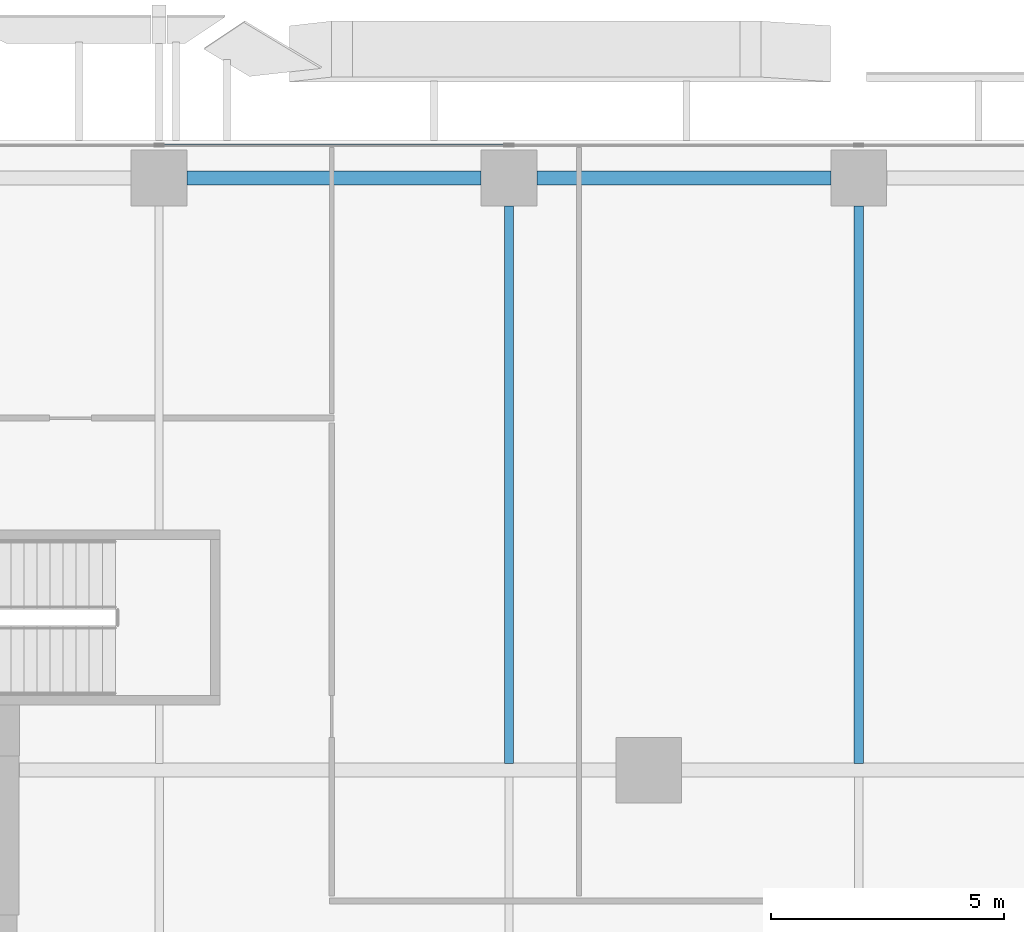
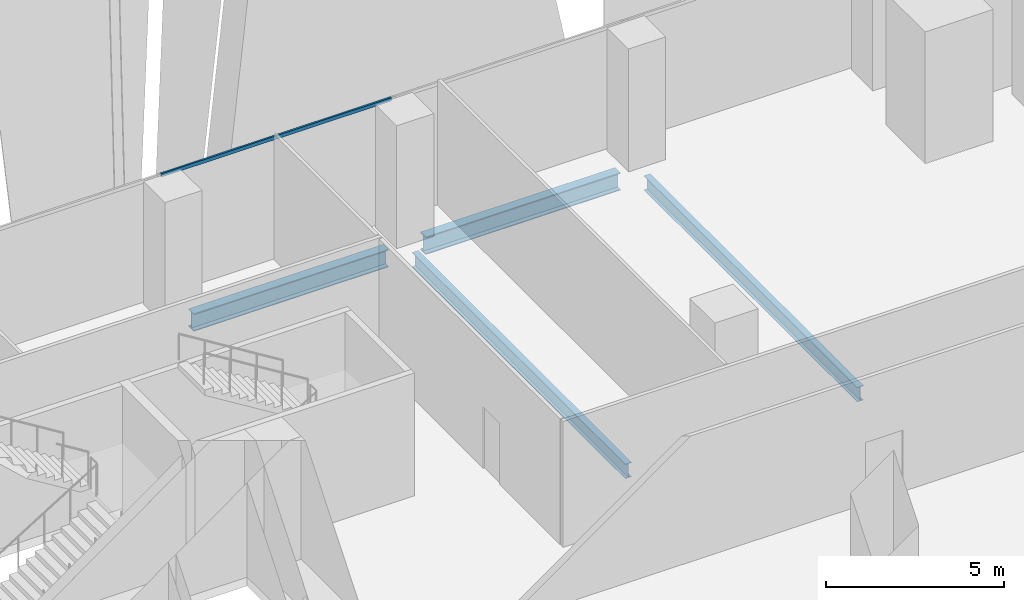
# One storey, part 20 of 37: 4 beams, 1 member, 1 element without a shape of its own.
"""IFC4 building model written with IfcOpenShell, lengths in metres."""

from ifc_helpers import new_model, si_unit, direction, frame, origin, origin_2d, place, context, subcontext, project, spatial, hollow_rectangle, i_section, extrude, source, transform, mapped, material, material_profile, profile_set, type_object, element, aggregate, save


model = new_model("IFC4")

# Units and contexts
model_context = context("Model", 3, precision=1e-05, world=origin(), true_north=direction((0.0, 1.0)))
body_context = subcontext(model_context, "Body", "Model", "MODEL_VIEW")
ifc_project = project(units=[si_unit("LENGTHUNIT", "METRE"), si_unit("AREAUNIT", "SQUARE_METRE"), si_unit("VOLUMEUNIT", "CUBIC_METRE"), si_unit("PLANEANGLEUNIT", "RADIAN"), si_unit("MASSUNIT", "GRAM", prefix="KILO")], contexts=[model_context])

# Site, building, storey
site_placement = place(None, origin())
site = spatial("IfcSite", under=ifc_project, at=site_placement, CompositionType="ELEMENT")
building_placement = place(site_placement, origin())
building = spatial("IfcBuilding", under=site, at=building_placement, Name="Khomas Fold Tower", CompositionType="ELEMENT")
storey_placement = place(building_placement, frame((0.0, 0.0, 60.0)))
storey = spatial("IfcBuildingStorey", under=building, at=storey_placement, Name="L12", CompositionType="ELEMENT", Elevation=60.0)

# Beams
ifc_material_1 = material(Name="Steel S355", Category="steel")
ifc_material_profile_1 = material_profile(ifc_material_1, i_section(OverallWidth=0.300048828125, OverallDepth=0.60009765625, WebThickness=0.015380859375, FlangeThickness=0.030029296875, at=origin_2d()), Name="HE 600 B")
ifc_profile_set_1 = profile_set([ifc_material_profile_1], Name="Steel S355")
beam_type_1 = type_object("IfcBeamType", Name="HE 600 B spandrel SB1", PredefinedType="SPANDREL", material=ifc_profile_set_1)
shared_shape_1 = source(origin(), body_context, "Body", "SweptSolid", [
    extrude(i_section(OverallWidth=0.300048828125, OverallDepth=0.60009765625, WebThickness=0.015380859375, FlangeThickness=0.030029296875, at=origin_2d()), origin(), (0.0, 0.0, 1.0), 6.2998046875),
])
for number, where, z_axis, x_axis, name in (
    (1, (35.10009765625, 53.199951171875, -0.60009765625), (1.0, 0.0, 0.0), (0.0, 1.0, 0.0), "SB1"),
    (2, (27.60009765625, 53.199951171875, -0.60009765625), (1.0, 0.0, 0.0), (0.0, 1.0, 0.0), "SB1"),
):
    element("IfcBeam", number, at=place(storey_placement, frame(where, z_axis=z_axis, x_axis=x_axis)), inside=storey, type_object=beam_type_1, Name=name, PredefinedType="SPANDREL", context=body_context, shape_type="MappedRepresentation", body=[
        mapped(shared_shape_1, transform((0.0, 0.0, 0.0))),
    ])
ifc_material_2 = material(Name="Steel S355", Category="steel")
ifc_material_profile_2 = material_profile(ifc_material_2, i_section(OverallWidth=0.199951171875, OverallDepth=0.5, WebThickness=0.01025390625, FlangeThickness=0.01611328125, at=origin_2d()), Name="IPE 500")
ifc_profile_set_2 = profile_set([ifc_material_profile_2], Name="Steel S355")
beam_type_2 = type_object("IfcBeamType", Name="IPE 500 beam JB5", PredefinedType="BEAM", material=ifc_profile_set_2)
shared_shape_2 = source(origin(), body_context, "Body", "SweptSolid", [
    extrude(i_section(OverallWidth=0.199951171875, OverallDepth=0.5, WebThickness=0.01025390625, FlangeThickness=0.01611328125, at=origin_2d()), origin(), (0.0, 0.0, 1.0), 11.9501953125),
])
for number, where, z_axis, x_axis, name in (
    (3, (34.5, 40.64990234375, -0.550048828125), (0.0, 1.0, 0.0), (-1.0, 0.0, 0.0), "JB5"),
    (4, (42.0, 40.64990234375, -0.550048828125), (0.0, 1.0, 0.0), (-1.0, 0.0, 0.0), "JB5"),
):
    element("IfcBeam", number, at=place(storey_placement, frame(where, z_axis=z_axis, x_axis=x_axis)), inside=storey, type_object=beam_type_2, Name=name, PredefinedType="BEAM", context=body_context, shape_type="MappedRepresentation", body=[
        mapped(shared_shape_2, transform((0.0, 0.0, 0.0))),
    ])

# Curtain wall, member
ifc_material_3 = material(Name="Aluminium framed double glazing", Category="aluminium")
curtain_wall_type = type_object("IfcCurtainWallType", Name="SK-Unitised clear-glass wall, growing floors CW1", PredefinedType="NOTDEFINED", material=ifc_material_3)
curtain_wall_placement = place(storey_placement, origin())
curtain_wall = element("IfcCurtainWall", 5, at=curtain_wall_placement, inside=storey, type_object=curtain_wall_type, Name="CW1 run L12 06-0", PredefinedType="NOTDEFINED")
ifc_material_4 = material(Name="Aluminium", Category="aluminium")
ifc_material_profile_3 = material_profile(ifc_material_4, hollow_rectangle(XDim=0.06005859375, YDim=0.1201171875, WallThickness=0.00390625, at=origin_2d()), Name="SK-Unitised clear-glass wall, growing floors transom CW1-T")
ifc_profile_set_3 = profile_set([ifc_material_profile_3], Name="Aluminium")
member_type = type_object("IfcMemberType", Name="SK-Unitised clear-glass wall, growing floors transom CW1-T", PredefinedType="USERDEFINED", material=ifc_profile_set_3)
shared_shape_3 = source(origin(), body_context, "Body", "SweptSolid", [
    extrude(hollow_rectangle(XDim=0.06005859375, YDim=0.1201171875, WallThickness=0.00390625, at=origin_2d()), origin(), (0.0, 0.0, 1.0), 7.43994140625),
])
member_placement = place(storey_placement, frame((34.469970703125, 53.89990234375, 4.139892578125), z_axis=(-1.0, 0.0, 0.0), x_axis=(0.0, -1.0, 0.0)))
member = element("IfcMember", 6, at=member_placement, type_object=member_type, Name="CW1 transom 4", ObjectType="TRANSOM", PredefinedType="USERDEFINED", context=body_context, shape_type="MappedRepresentation", body=[
    mapped(shared_shape_3, transform((0.0, 0.0, 0.0))),
])
aggregate(curtain_wall, [member])

save(model, "model.ifc")
